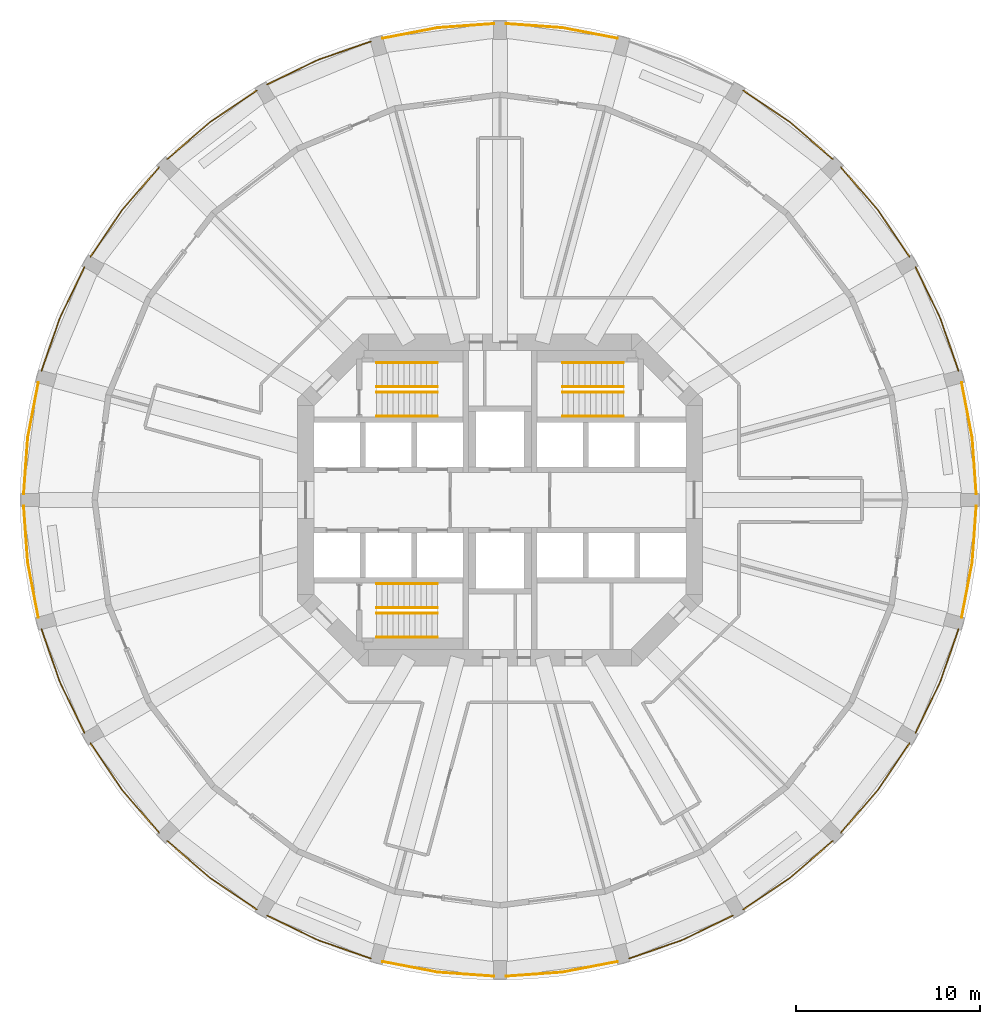
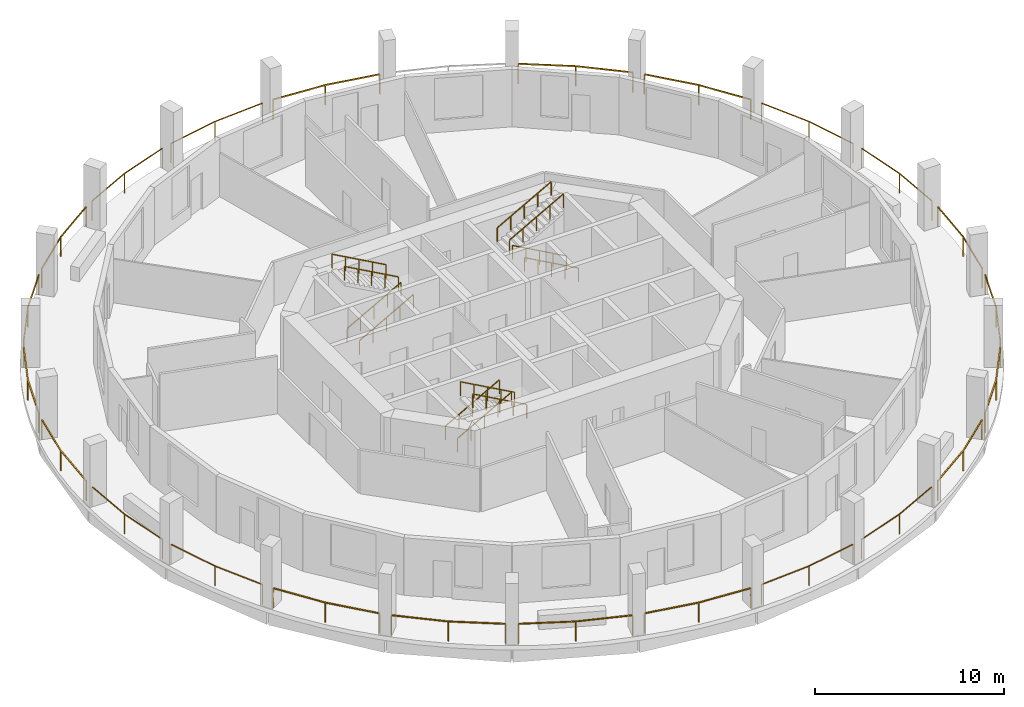
# One storey, part 7 of 8: 35 railings.
"""IFC4 building model written with IfcOpenShell, lengths in metres."""

from ifc_helpers import new_model, si_unit, direction, frame, origin, origin_2d, place, context, subcontext, project, spatial, rectangle, extrude, material, type_object, element, save


model = new_model("IFC4")

# Units and contexts
model_context = context("Model", 3, precision=1e-05, world=origin(), true_north=direction((0.0, 1.0)))
body_context = subcontext(model_context, "Body", "Model", "MODEL_VIEW")
ifc_project = project(units=[si_unit("LENGTHUNIT", "METRE"), si_unit("AREAUNIT", "SQUARE_METRE"), si_unit("VOLUMEUNIT", "CUBIC_METRE"), si_unit("PLANEANGLEUNIT", "RADIAN"), si_unit("MASSUNIT", "GRAM", prefix="KILO")], contexts=[model_context])

# Site, building, storey
site_placement = place(None, origin())
site = spatial("IfcSite", under=ifc_project, at=site_placement, CompositionType="ELEMENT")
building_placement = place(site_placement, origin())
building = spatial("IfcBuilding", under=site, at=building_placement, Name="Torre Triforio", CompositionType="ELEMENT")
storey_placement = place(building_placement, frame((0.0, 0.0, 86.60009765625)))
storey = spatial("IfcBuildingStorey", under=building, at=storey_placement, Name="L18", CompositionType="ELEMENT", Elevation=86.60009765625)

# Railings
ifc_material = material(Name="Stainless steel AISI 316", Category="steel")
railing_type_1 = type_object("IfcRailingType", Name="HANDRAIL 920", PredefinedType="HANDRAIL", material=ifc_material)
for number, where, name in (
    (1, (-6.699951171875, 4.550048828125, 0.16650390625), "Handrail ST1"),
    (2, (-6.699951171875, 5.85009765625, 0.16650390625), "Handrail ST1"),
):
    element("IfcRailing", number, at=place(storey_placement, frame(where)), inside=storey, type_object=railing_type_1, Name=name, PredefinedType="HANDRAIL", context=body_context, shape_type="SweptSolid", body=[
        extrude(rectangle(XDim=0.048095703125, YDim=0.048095703125, at=origin_2d()), frame((0.0, 0.0, 0.89599609375), z_axis=(0.874142023373, 0.0, 0.48567038511), x_axis=(0.0, 1.0, 0.0)), (0.0, 0.0, 1.0), 3.775146484375),
        extrude(rectangle(XDim=0.0419921875, YDim=0.0419921875, at=origin_2d()), origin(), (0.0, 0.0, 1.0), 0.871826171875),
        extrude(rectangle(XDim=0.0419921875, YDim=0.0419921875, at=origin_2d()), frame((0.824951171875, 0.0, 0.45849609375)), (0.0, 0.0, 1.0), 0.871826171875),
        extrude(rectangle(XDim=0.0419921875, YDim=0.0419921875, at=origin_2d()), frame((1.64990234375, 0.0, 0.916748046875)), (0.0, 0.0, 1.0), 0.871826171875),
        extrude(rectangle(XDim=0.0419921875, YDim=0.0419921875, at=origin_2d()), frame((2.47509765625, 0.0, 1.375)), (0.0, 0.0, 1.0), 0.871826171875),
        extrude(rectangle(XDim=0.0419921875, YDim=0.0419921875, at=origin_2d()), frame((3.300048828125, 0.0, 1.83349609375)), (0.0, 0.0, 1.0), 0.871826171875),
    ])
for number, where, name in (
    (3, (-3.39990234375, 7.449951171875, 2.16650390625), "Handrail ST1"),
    (4, (-3.39990234375, 6.14990234375, 2.16650390625), "Handrail ST1"),
    (5, (6.699951171875, 4.550048828125, 0.16650390625), "Handrail ST2"),
    (6, (6.699951171875, 5.85009765625, 0.16650390625), "Handrail ST2"),
):
    element("IfcRailing", number, at=place(storey_placement, frame(where)), inside=storey, type_object=railing_type_1, Name=name, PredefinedType="HANDRAIL", context=body_context, shape_type="SweptSolid", body=[
        extrude(rectangle(XDim=0.048095703125, YDim=0.048095703125, at=origin_2d()), frame((0.0, 0.0, 0.89599609375), z_axis=(-0.874142023373, 0.0, 0.48567038511), x_axis=(0.0, -1.0, 0.0)), (0.0, 0.0, 1.0), 3.775146484375),
        extrude(rectangle(XDim=0.0419921875, YDim=0.0419921875, at=origin_2d()), origin(), (0.0, 0.0, 1.0), 0.871826171875),
        extrude(rectangle(XDim=0.0419921875, YDim=0.0419921875, at=origin_2d()), frame((-0.824951171875, 0.0, 0.45849609375)), (0.0, 0.0, 1.0), 0.871826171875),
        extrude(rectangle(XDim=0.0419921875, YDim=0.0419921875, at=origin_2d()), frame((-1.64990234375, 0.0, 0.916748046875)), (0.0, 0.0, 1.0), 0.871826171875),
        extrude(rectangle(XDim=0.0419921875, YDim=0.0419921875, at=origin_2d()), frame((-2.47509765625, 0.0, 1.375)), (0.0, 0.0, 1.0), 0.871826171875),
        extrude(rectangle(XDim=0.0419921875, YDim=0.0419921875, at=origin_2d()), frame((-3.300048828125, 0.0, 1.83349609375)), (0.0, 0.0, 1.0), 0.871826171875),
    ])
for number, where, name in (
    (7, (3.39990234375, 7.449951171875, 2.16650390625), "Handrail ST2"),
    (8, (3.39990234375, 6.14990234375, 2.16650390625), "Handrail ST2"),
    (9, (-6.699951171875, -4.550048828125, 0.16650390625), "Handrail ST3"),
    (10, (-6.699951171875, -5.85009765625, 0.16650390625), "Handrail ST3"),
):
    element("IfcRailing", number, at=place(storey_placement, frame(where)), inside=storey, type_object=railing_type_1, Name=name, PredefinedType="HANDRAIL", context=body_context, shape_type="SweptSolid", body=[
        extrude(rectangle(XDim=0.048095703125, YDim=0.048095703125, at=origin_2d()), frame((0.0, 0.0, 0.89599609375), z_axis=(0.874142023373, 0.0, 0.48567038511), x_axis=(0.0, 1.0, 0.0)), (0.0, 0.0, 1.0), 3.775146484375),
        extrude(rectangle(XDim=0.0419921875, YDim=0.0419921875, at=origin_2d()), origin(), (0.0, 0.0, 1.0), 0.871826171875),
        extrude(rectangle(XDim=0.0419921875, YDim=0.0419921875, at=origin_2d()), frame((0.824951171875, 0.0, 0.45849609375)), (0.0, 0.0, 1.0), 0.871826171875),
        extrude(rectangle(XDim=0.0419921875, YDim=0.0419921875, at=origin_2d()), frame((1.64990234375, 0.0, 0.916748046875)), (0.0, 0.0, 1.0), 0.871826171875),
        extrude(rectangle(XDim=0.0419921875, YDim=0.0419921875, at=origin_2d()), frame((2.47509765625, 0.0, 1.375)), (0.0, 0.0, 1.0), 0.871826171875),
        extrude(rectangle(XDim=0.0419921875, YDim=0.0419921875, at=origin_2d()), frame((3.300048828125, 0.0, 1.83349609375)), (0.0, 0.0, 1.0), 0.871826171875),
    ])
for number, where, name in (
    (11, (-3.39990234375, -7.449951171875, 2.16650390625), "Handrail ST3"),
    (12, (-3.39990234375, -6.14990234375, 2.16650390625), "Handrail ST3"),
):
    element("IfcRailing", number, at=place(storey_placement, frame(where)), inside=storey, type_object=railing_type_1, Name=name, PredefinedType="HANDRAIL", context=body_context, shape_type="SweptSolid", body=[
        extrude(rectangle(XDim=0.048095703125, YDim=0.048095703125, at=origin_2d()), frame((0.0, 0.0, 0.89599609375), z_axis=(-0.874142023373, 0.0, 0.48567038511), x_axis=(0.0, -1.0, 0.0)), (0.0, 0.0, 1.0), 3.775146484375),
        extrude(rectangle(XDim=0.0419921875, YDim=0.0419921875, at=origin_2d()), origin(), (0.0, 0.0, 1.0), 0.871826171875),
        extrude(rectangle(XDim=0.0419921875, YDim=0.0419921875, at=origin_2d()), frame((-0.824951171875, 0.0, 0.45849609375)), (0.0, 0.0, 1.0), 0.871826171875),
        extrude(rectangle(XDim=0.0419921875, YDim=0.0419921875, at=origin_2d()), frame((-1.64990234375, 0.0, 0.916748046875)), (0.0, 0.0, 1.0), 0.871826171875),
        extrude(rectangle(XDim=0.0419921875, YDim=0.0419921875, at=origin_2d()), frame((-2.47509765625, 0.0, 1.375)), (0.0, 0.0, 1.0), 0.871826171875),
        extrude(rectangle(XDim=0.0419921875, YDim=0.0419921875, at=origin_2d()), frame((-3.300048828125, 0.0, 1.83349609375)), (0.0, 0.0, 1.0), 0.871826171875),
    ])
railing_type_2 = type_object("IfcRailingType", Name="Loggia guard 1300", PredefinedType="GUARDRAIL", material=ifc_material)
railing_1_placement = place(storey_placement, frame((25.85009765625, 0.320068359375, 0.0)))
element("IfcRailing", 13, at=railing_1_placement, inside=storey, type_object=railing_type_2, Name="Loggia guard L18 bay 01", PredefinedType="GUARDRAIL", context=body_context, shape_type="SweptSolid", body=[
    extrude(rectangle(XDim=0.050048828125, YDim=0.050048828125, at=origin_2d()), frame((0.0, 0.0, 1.27490234375), z_axis=(-0.072238625319, 0.997387377608, 0.0), x_axis=(-0.997387377608, -0.072238625319, 0.0)), (0.0, 0.0, 1.0), 3.06201171875),
    extrude(rectangle(XDim=0.050048828125, YDim=0.050048828125, at=origin_2d()), frame((-0.22119140625, 3.053955078125, 1.27490234375), z_axis=(-0.188397892972, 0.982092782747, 0.0), x_axis=(-0.982092782747, -0.188397892972, 0.0)), (0.0, 0.0, 1.0), 3.062255859375),
    extrude(rectangle(XDim=0.0400390625, YDim=0.0400390625, at=origin_2d()), origin(), (0.0, 0.0, 1.0), 1.25),
    extrude(rectangle(XDim=0.0400390625, YDim=0.0400390625, at=origin_2d()), frame((-0.22119140625, 3.053955078125, 0.0)), (0.0, 0.0, 1.0), 1.25),
    extrude(rectangle(XDim=0.0400390625, YDim=0.0400390625, at=origin_2d()), frame((-0.798095703125, 6.061279296875, 0.0)), (0.0, 0.0, 1.0), 1.25),
])
railing_2_placement = place(storey_placement, frame((24.886474609375, 6.99951171875, 0.0)))
element("IfcRailing", 14, at=railing_2_placement, inside=storey, type_object=railing_type_2, Name="Loggia guard L18 bay 02", PredefinedType="GUARDRAIL", context=body_context, shape_type="SweptSolid", body=[
    extrude(rectangle(XDim=0.050048828125, YDim=0.050048828125, at=origin_2d()), frame((0.0, 0.0, 1.27490234375), z_axis=(-0.327923737665, 0.944704198295, 0.0), x_axis=(-0.944704198295, -0.327923737665, 0.0)), (0.0, 0.0, 1.0), 3.062255859375),
    extrude(rectangle(XDim=0.050048828125, YDim=0.050048828125, at=origin_2d()), frame((-1.004150390625, 2.892822265625, 1.27490234375), z_axis=(-0.436113094806, 0.899891864914, 0.0), x_axis=(-0.899891864914, -0.436113094806, 0.0)), (0.0, 0.0, 1.0), 3.062255859375),
    extrude(rectangle(XDim=0.0400390625, YDim=0.0400390625, at=origin_2d()), origin(), (0.0, 0.0, 1.0), 1.25),
    extrude(rectangle(XDim=0.0400390625, YDim=0.0400390625, at=origin_2d()), frame((-1.004150390625, 2.892822265625, 0.0)), (0.0, 0.0, 1.0), 1.25),
    extrude(rectangle(XDim=0.0400390625, YDim=0.0400390625, at=origin_2d()), frame((-2.339599609375, 5.6484375, 0.0)), (0.0, 0.0, 1.0), 1.25),
])
railing_3_placement = place(storey_placement, frame((22.226806640625, 13.2021484375, 0.0)))
element("IfcRailing", 15, at=railing_3_placement, inside=storey, type_object=railing_type_2, Name="Loggia guard L18 bay 03", PredefinedType="GUARDRAIL", context=body_context, shape_type="SweptSolid", body=[
    extrude(rectangle(XDim=0.050048828125, YDim=0.050048828125, at=origin_2d()), frame((0.0, 0.0, 1.27490234375), z_axis=(-0.561214776852, 0.827670208624, 0.0), x_axis=(-0.827670208624, -0.561214776852, 0.0)), (0.0, 0.0, 1.0), 3.06201171875),
    extrude(rectangle(XDim=0.050048828125, YDim=0.050048828125, at=origin_2d()), frame((-1.718505859375, 2.534423828125, 1.27490234375), z_axis=(-0.654238218872, 0.75628853817, 0.0), x_axis=(-0.75628853817, -0.654238218872, 0.0)), (0.0, 0.0, 1.0), 3.062255859375),
    extrude(rectangle(XDim=0.0400390625, YDim=0.0400390625, at=origin_2d()), origin(), (0.0, 0.0, 1.0), 1.25),
    extrude(rectangle(XDim=0.0400390625, YDim=0.0400390625, at=origin_2d()), frame((-1.718505859375, 2.534423828125, 0.0)), (0.0, 0.0, 1.0), 1.25),
    extrude(rectangle(XDim=0.0400390625, YDim=0.0400390625, at=origin_2d()), frame((-3.721923828125, 4.850341796875, 0.0)), (0.0, 0.0, 1.0), 1.25),
])
railing_4_placement = place(storey_placement, frame((18.052490234375, 18.5048828125, 0.0)))
element("IfcRailing", 16, at=railing_4_placement, inside=storey, type_object=railing_type_2, Name="Loggia guard L18 bay 04", PredefinedType="GUARDRAIL", context=body_context, shape_type="SweptSolid", body=[
    extrude(rectangle(XDim=0.050048828125, YDim=0.050048828125, at=origin_2d()), frame((0.0, 0.0, 1.27490234375), z_axis=(-0.75628853817, 0.654238218872, 0.0), x_axis=(-0.654238218872, -0.75628853817, 0.0)), (0.0, 0.0, 1.0), 3.062255859375),
    extrude(rectangle(XDim=0.050048828125, YDim=0.050048828125, at=origin_2d()), frame((-2.31591796875, 2.00341796875, 1.27490234375), z_axis=(-0.827670208624, 0.561214776852, 0.0), x_axis=(-0.561214776852, -0.827670208624, 0.0)), (0.0, 0.0, 1.0), 3.06201171875),
    extrude(rectangle(XDim=0.0400390625, YDim=0.0400390625, at=origin_2d()), origin(), (0.0, 0.0, 1.0), 1.25),
    extrude(rectangle(XDim=0.0400390625, YDim=0.0400390625, at=origin_2d()), frame((-2.31591796875, 2.00341796875, 0.0)), (0.0, 0.0, 1.0), 1.25),
    extrude(rectangle(XDim=0.0400390625, YDim=0.0400390625, at=origin_2d()), frame((-4.850341796875, 3.721923828125, 0.0)), (0.0, 0.0, 1.0), 1.25),
])
railing_5_placement = place(storey_placement, frame((6.38134765625, 25.052001953125, 0.0)))
element("IfcRailing", 17, at=railing_5_placement, inside=storey, type_object=railing_type_2, Name="Loggia guard L18 bay 06", PredefinedType="GUARDRAIL", context=body_context, shape_type="SweptSolid", body=[
    extrude(rectangle(XDim=0.050048828125, YDim=0.050048828125, at=origin_2d()), frame((0.0, 0.0, 1.27490234375), z_axis=(-0.982092782747, 0.188397892972, 0.0), x_axis=(-0.188397892972, -0.982092782747, 0.0)), (0.0, 0.0, 1.0), 3.062255859375),
    extrude(rectangle(XDim=0.050048828125, YDim=0.050048828125, at=origin_2d()), frame((-3.00732421875, 0.576904296875, 1.27490234375), z_axis=(-0.997387377608, 0.072238625319, 0.0), x_axis=(-0.072238625319, -0.997387377608, 0.0)), (0.0, 0.0, 1.0), 3.06201171875),
    extrude(rectangle(XDim=0.0400390625, YDim=0.0400390625, at=origin_2d()), origin(), (0.0, 0.0, 1.0), 1.25),
    extrude(rectangle(XDim=0.0400390625, YDim=0.0400390625, at=origin_2d()), frame((-3.00732421875, 0.576904296875, 0.0)), (0.0, 0.0, 1.0), 1.25),
    extrude(rectangle(XDim=0.0400390625, YDim=0.0400390625, at=origin_2d()), frame((-6.061279296875, 0.798095703125, 0.0)), (0.0, 0.0, 1.0), 1.25),
])
railing_6_placement = place(storey_placement, frame((-0.320068359375, 25.85009765625, 0.0)))
element("IfcRailing", 18, at=railing_6_placement, inside=storey, type_object=railing_type_2, Name="Loggia guard L18 bay 07", PredefinedType="GUARDRAIL", context=body_context, shape_type="SweptSolid", body=[
    extrude(rectangle(XDim=0.050048828125, YDim=0.050048828125, at=origin_2d()), frame((0.0, 0.0, 1.27490234375), z_axis=(-0.997387377608, -0.072238625319, 0.0), x_axis=(0.072238625319, -0.997387377608, 0.0)), (0.0, 0.0, 1.0), 3.06201171875),
    extrude(rectangle(XDim=0.050048828125, YDim=0.050048828125, at=origin_2d()), frame((-3.053955078125, -0.22119140625, 1.27490234375), z_axis=(-0.982092782747, -0.188397892972, 0.0), x_axis=(0.188397892972, -0.982092782747, 0.0)), (0.0, 0.0, 1.0), 3.062255859375),
    extrude(rectangle(XDim=0.0400390625, YDim=0.0400390625, at=origin_2d()), origin(), (0.0, 0.0, 1.0), 1.25),
    extrude(rectangle(XDim=0.0400390625, YDim=0.0400390625, at=origin_2d()), frame((-3.053955078125, -0.22119140625, 0.0)), (0.0, 0.0, 1.0), 1.25),
    extrude(rectangle(XDim=0.0400390625, YDim=0.0400390625, at=origin_2d()), frame((-6.061279296875, -0.798095703125, 0.0)), (0.0, 0.0, 1.0), 1.25),
])
railing_7_placement = place(storey_placement, frame((-6.99951171875, 24.886474609375, 0.0)))
element("IfcRailing", 19, at=railing_7_placement, inside=storey, type_object=railing_type_2, Name="Loggia guard L18 bay 08", PredefinedType="GUARDRAIL", context=body_context, shape_type="SweptSolid", body=[
    extrude(rectangle(XDim=0.050048828125, YDim=0.050048828125, at=origin_2d()), frame((0.0, 0.0, 1.27490234375), z_axis=(-0.944704198295, -0.327923737665, 0.0), x_axis=(0.327923737665, -0.944704198295, 0.0)), (0.0, 0.0, 1.0), 3.062255859375),
    extrude(rectangle(XDim=0.050048828125, YDim=0.050048828125, at=origin_2d()), frame((-2.892822265625, -1.004150390625, 1.27490234375), z_axis=(-0.899891864914, -0.436113094806, 0.0), x_axis=(0.436113094806, -0.899891864914, 0.0)), (0.0, 0.0, 1.0), 3.062255859375),
    extrude(rectangle(XDim=0.0400390625, YDim=0.0400390625, at=origin_2d()), origin(), (0.0, 0.0, 1.0), 1.25),
    extrude(rectangle(XDim=0.0400390625, YDim=0.0400390625, at=origin_2d()), frame((-2.892822265625, -1.004150390625, 0.0)), (0.0, 0.0, 1.0), 1.25),
    extrude(rectangle(XDim=0.0400390625, YDim=0.0400390625, at=origin_2d()), frame((-5.6484375, -2.339599609375, 0.0)), (0.0, 0.0, 1.0), 1.25),
])
railing_8_placement = place(storey_placement, frame((-13.2021484375, 22.226806640625, 0.0)))
element("IfcRailing", 20, at=railing_8_placement, inside=storey, type_object=railing_type_2, Name="Loggia guard L18 bay 09", PredefinedType="GUARDRAIL", context=body_context, shape_type="SweptSolid", body=[
    extrude(rectangle(XDim=0.050048828125, YDim=0.050048828125, at=origin_2d()), frame((0.0, 0.0, 1.27490234375), z_axis=(-0.827670208624, -0.561214776852, 0.0), x_axis=(0.561214776852, -0.827670208624, 0.0)), (0.0, 0.0, 1.0), 3.06201171875),
    extrude(rectangle(XDim=0.050048828125, YDim=0.050048828125, at=origin_2d()), frame((-2.534423828125, -1.718505859375, 1.27490234375), z_axis=(-0.75628853817, -0.654238218872, 0.0), x_axis=(0.654238218872, -0.75628853817, 0.0)), (0.0, 0.0, 1.0), 3.062255859375),
    extrude(rectangle(XDim=0.0400390625, YDim=0.0400390625, at=origin_2d()), origin(), (0.0, 0.0, 1.0), 1.25),
    extrude(rectangle(XDim=0.0400390625, YDim=0.0400390625, at=origin_2d()), frame((-2.534423828125, -1.718505859375, 0.0)), (0.0, 0.0, 1.0), 1.25),
    extrude(rectangle(XDim=0.0400390625, YDim=0.0400390625, at=origin_2d()), frame((-4.850341796875, -3.721923828125, 0.0)), (0.0, 0.0, 1.0), 1.25),
])
railing_9_placement = place(storey_placement, frame((-18.5048828125, 18.052490234375, 0.0)))
element("IfcRailing", 21, at=railing_9_placement, inside=storey, type_object=railing_type_2, Name="Loggia guard L18 bay 10", PredefinedType="GUARDRAIL", context=body_context, shape_type="SweptSolid", body=[
    extrude(rectangle(XDim=0.050048828125, YDim=0.050048828125, at=origin_2d()), frame((0.0, 0.0, 1.27490234375), z_axis=(-0.654238218872, -0.75628853817, 0.0), x_axis=(0.75628853817, -0.654238218872, 0.0)), (0.0, 0.0, 1.0), 3.062255859375),
    extrude(rectangle(XDim=0.050048828125, YDim=0.050048828125, at=origin_2d()), frame((-2.00341796875, -2.31591796875, 1.27490234375), z_axis=(-0.561214776852, -0.827670208624, 0.0), x_axis=(0.827670208624, -0.561214776852, 0.0)), (0.0, 0.0, 1.0), 3.06201171875),
    extrude(rectangle(XDim=0.0400390625, YDim=0.0400390625, at=origin_2d()), origin(), (0.0, 0.0, 1.0), 1.25),
    extrude(rectangle(XDim=0.0400390625, YDim=0.0400390625, at=origin_2d()), frame((-2.00341796875, -2.31591796875, 0.0)), (0.0, 0.0, 1.0), 1.25),
    extrude(rectangle(XDim=0.0400390625, YDim=0.0400390625, at=origin_2d()), frame((-3.721923828125, -4.850341796875, 0.0)), (0.0, 0.0, 1.0), 1.25),
])
railing_10_placement = place(storey_placement, frame((-22.546875, 12.64794921875, 0.0)))
element("IfcRailing", 22, at=railing_10_placement, inside=storey, type_object=railing_type_2, Name="Loggia guard L18 bay 11", PredefinedType="GUARDRAIL", context=body_context, shape_type="SweptSolid", body=[
    extrude(rectangle(XDim=0.050048828125, YDim=0.050048828125, at=origin_2d()), frame((0.0, 0.0, 1.27490234375), z_axis=(-0.436113094806, -0.899891864914, 0.0), x_axis=(0.899891864914, -0.436113094806, 0.0)), (0.0, 0.0, 1.0), 3.062255859375),
    extrude(rectangle(XDim=0.050048828125, YDim=0.050048828125, at=origin_2d()), frame((-1.33544921875, -2.755615234375, 1.27490234375), z_axis=(-0.327923737665, -0.944704198295, 0.0), x_axis=(0.944704198295, -0.327923737665, 0.0)), (0.0, 0.0, 1.0), 3.062255859375),
    extrude(rectangle(XDim=0.0400390625, YDim=0.0400390625, at=origin_2d()), origin(), (0.0, 0.0, 1.0), 1.25),
    extrude(rectangle(XDim=0.0400390625, YDim=0.0400390625, at=origin_2d()), frame((-1.33544921875, -2.755615234375, 0.0)), (0.0, 0.0, 1.0), 1.25),
    extrude(rectangle(XDim=0.0400390625, YDim=0.0400390625, at=origin_2d()), frame((-2.339599609375, -5.6484375, 0.0)), (0.0, 0.0, 1.0), 1.25),
])
railing_11_placement = place(storey_placement, frame((-25.052001953125, 6.38134765625, 0.0)))
element("IfcRailing", 23, at=railing_11_placement, inside=storey, type_object=railing_type_2, Name="Loggia guard L18 bay 12", PredefinedType="GUARDRAIL", context=body_context, shape_type="SweptSolid", body=[
    extrude(rectangle(XDim=0.050048828125, YDim=0.050048828125, at=origin_2d()), frame((0.0, 0.0, 1.27490234375), z_axis=(-0.188397892972, -0.982092782747, 0.0), x_axis=(0.982092782747, -0.188397892972, 0.0)), (0.0, 0.0, 1.0), 3.062255859375),
    extrude(rectangle(XDim=0.050048828125, YDim=0.050048828125, at=origin_2d()), frame((-0.576904296875, -3.00732421875, 1.27490234375), z_axis=(-0.072238625319, -0.997387377608, 0.0), x_axis=(0.997387377608, -0.072238625319, 0.0)), (0.0, 0.0, 1.0), 3.06201171875),
    extrude(rectangle(XDim=0.0400390625, YDim=0.0400390625, at=origin_2d()), origin(), (0.0, 0.0, 1.0), 1.25),
    extrude(rectangle(XDim=0.0400390625, YDim=0.0400390625, at=origin_2d()), frame((-0.576904296875, -3.00732421875, 0.0)), (0.0, 0.0, 1.0), 1.25),
    extrude(rectangle(XDim=0.0400390625, YDim=0.0400390625, at=origin_2d()), frame((-0.798095703125, -6.061279296875, 0.0)), (0.0, 0.0, 1.0), 1.25),
])
railing_12_placement = place(storey_placement, frame((-25.85009765625, -0.320068359375, 0.0)))
element("IfcRailing", 24, at=railing_12_placement, inside=storey, type_object=railing_type_2, Name="Loggia guard L18 bay 13", PredefinedType="GUARDRAIL", context=body_context, shape_type="SweptSolid", body=[
    extrude(rectangle(XDim=0.050048828125, YDim=0.050048828125, at=origin_2d()), frame((0.0, 0.0, 1.27490234375), z_axis=(0.072238625319, -0.997387377608, 0.0), x_axis=(0.997387377608, 0.072238625319, 0.0)), (0.0, 0.0, 1.0), 3.06201171875),
    extrude(rectangle(XDim=0.050048828125, YDim=0.050048828125, at=origin_2d()), frame((0.22119140625, -3.053955078125, 1.27490234375), z_axis=(0.188397892972, -0.982092782747, 0.0), x_axis=(0.982092782747, 0.188397892972, 0.0)), (0.0, 0.0, 1.0), 3.062255859375),
    extrude(rectangle(XDim=0.0400390625, YDim=0.0400390625, at=origin_2d()), origin(), (0.0, 0.0, 1.0), 1.25),
    extrude(rectangle(XDim=0.0400390625, YDim=0.0400390625, at=origin_2d()), frame((0.22119140625, -3.053955078125, 0.0)), (0.0, 0.0, 1.0), 1.25),
    extrude(rectangle(XDim=0.0400390625, YDim=0.0400390625, at=origin_2d()), frame((0.798095703125, -6.061279296875, 0.0)), (0.0, 0.0, 1.0), 1.25),
])
railing_13_placement = place(storey_placement, frame((-24.886474609375, -6.99951171875, 0.0)))
element("IfcRailing", 25, at=railing_13_placement, inside=storey, type_object=railing_type_2, Name="Loggia guard L18 bay 14", PredefinedType="GUARDRAIL", context=body_context, shape_type="SweptSolid", body=[
    extrude(rectangle(XDim=0.050048828125, YDim=0.050048828125, at=origin_2d()), frame((0.0, 0.0, 1.27490234375), z_axis=(0.327923737665, -0.944704198295, 0.0), x_axis=(0.944704198295, 0.327923737665, 0.0)), (0.0, 0.0, 1.0), 3.062255859375),
    extrude(rectangle(XDim=0.050048828125, YDim=0.050048828125, at=origin_2d()), frame((1.004150390625, -2.892822265625, 1.27490234375), z_axis=(0.436113094806, -0.899891864914, 0.0), x_axis=(0.899891864914, 0.436113094806, 0.0)), (0.0, 0.0, 1.0), 3.062255859375),
    extrude(rectangle(XDim=0.0400390625, YDim=0.0400390625, at=origin_2d()), origin(), (0.0, 0.0, 1.0), 1.25),
    extrude(rectangle(XDim=0.0400390625, YDim=0.0400390625, at=origin_2d()), frame((1.004150390625, -2.892822265625, 0.0)), (0.0, 0.0, 1.0), 1.25),
    extrude(rectangle(XDim=0.0400390625, YDim=0.0400390625, at=origin_2d()), frame((2.339599609375, -5.6484375, 0.0)), (0.0, 0.0, 1.0), 1.25),
])
railing_14_placement = place(storey_placement, frame((-22.226806640625, -13.2021484375, 0.0)))
element("IfcRailing", 26, at=railing_14_placement, inside=storey, type_object=railing_type_2, Name="Loggia guard L18 bay 15", PredefinedType="GUARDRAIL", context=body_context, shape_type="SweptSolid", body=[
    extrude(rectangle(XDim=0.050048828125, YDim=0.050048828125, at=origin_2d()), frame((0.0, 0.0, 1.27490234375), z_axis=(0.561214776852, -0.827670208624, 0.0), x_axis=(0.827670208624, 0.561214776852, 0.0)), (0.0, 0.0, 1.0), 3.06201171875),
    extrude(rectangle(XDim=0.050048828125, YDim=0.050048828125, at=origin_2d()), frame((1.718505859375, -2.534423828125, 1.27490234375), z_axis=(0.654238218872, -0.75628853817, 0.0), x_axis=(0.75628853817, 0.654238218872, 0.0)), (0.0, 0.0, 1.0), 3.062255859375),
    extrude(rectangle(XDim=0.0400390625, YDim=0.0400390625, at=origin_2d()), origin(), (0.0, 0.0, 1.0), 1.25),
    extrude(rectangle(XDim=0.0400390625, YDim=0.0400390625, at=origin_2d()), frame((1.718505859375, -2.534423828125, 0.0)), (0.0, 0.0, 1.0), 1.25),
    extrude(rectangle(XDim=0.0400390625, YDim=0.0400390625, at=origin_2d()), frame((3.721923828125, -4.850341796875, 0.0)), (0.0, 0.0, 1.0), 1.25),
])
railing_15_placement = place(storey_placement, frame((-18.052490234375, -18.5048828125, 0.0)))
element("IfcRailing", 27, at=railing_15_placement, inside=storey, type_object=railing_type_2, Name="Loggia guard L18 bay 16", PredefinedType="GUARDRAIL", context=body_context, shape_type="SweptSolid", body=[
    extrude(rectangle(XDim=0.050048828125, YDim=0.050048828125, at=origin_2d()), frame((0.0, 0.0, 1.27490234375), z_axis=(0.75628853817, -0.654238218872, 0.0), x_axis=(0.654238218872, 0.75628853817, 0.0)), (0.0, 0.0, 1.0), 3.062255859375),
    extrude(rectangle(XDim=0.050048828125, YDim=0.050048828125, at=origin_2d()), frame((2.31591796875, -2.00341796875, 1.27490234375), z_axis=(0.827670208624, -0.561214776852, 0.0), x_axis=(0.561214776852, 0.827670208624, 0.0)), (0.0, 0.0, 1.0), 3.06201171875),
    extrude(rectangle(XDim=0.0400390625, YDim=0.0400390625, at=origin_2d()), origin(), (0.0, 0.0, 1.0), 1.25),
    extrude(rectangle(XDim=0.0400390625, YDim=0.0400390625, at=origin_2d()), frame((2.31591796875, -2.00341796875, 0.0)), (0.0, 0.0, 1.0), 1.25),
    extrude(rectangle(XDim=0.0400390625, YDim=0.0400390625, at=origin_2d()), frame((4.850341796875, -3.721923828125, 0.0)), (0.0, 0.0, 1.0), 1.25),
])
railing_16_placement = place(storey_placement, frame((-12.64794921875, -22.546875, 0.0)))
element("IfcRailing", 28, at=railing_16_placement, inside=storey, type_object=railing_type_2, Name="Loggia guard L18 bay 17", PredefinedType="GUARDRAIL", context=body_context, shape_type="SweptSolid", body=[
    extrude(rectangle(XDim=0.050048828125, YDim=0.050048828125, at=origin_2d()), frame((0.0, 0.0, 1.27490234375), z_axis=(0.899891864914, -0.436113094806, 0.0), x_axis=(0.436113094806, 0.899891864914, 0.0)), (0.0, 0.0, 1.0), 3.062255859375),
    extrude(rectangle(XDim=0.050048828125, YDim=0.050048828125, at=origin_2d()), frame((2.755615234375, -1.33544921875, 1.27490234375), z_axis=(0.944704198295, -0.327923737665, 0.0), x_axis=(0.327923737665, 0.944704198295, 0.0)), (0.0, 0.0, 1.0), 3.062255859375),
    extrude(rectangle(XDim=0.0400390625, YDim=0.0400390625, at=origin_2d()), origin(), (0.0, 0.0, 1.0), 1.25),
    extrude(rectangle(XDim=0.0400390625, YDim=0.0400390625, at=origin_2d()), frame((2.755615234375, -1.33544921875, 0.0)), (0.0, 0.0, 1.0), 1.25),
    extrude(rectangle(XDim=0.0400390625, YDim=0.0400390625, at=origin_2d()), frame((5.6484375, -2.339599609375, 0.0)), (0.0, 0.0, 1.0), 1.25),
])
railing_17_placement = place(storey_placement, frame((-6.38134765625, -25.052001953125, 0.0)))
element("IfcRailing", 29, at=railing_17_placement, inside=storey, type_object=railing_type_2, Name="Loggia guard L18 bay 18", PredefinedType="GUARDRAIL", context=body_context, shape_type="SweptSolid", body=[
    extrude(rectangle(XDim=0.050048828125, YDim=0.050048828125, at=origin_2d()), frame((0.0, 0.0, 1.27490234375), z_axis=(0.982092782747, -0.188397892972, 0.0), x_axis=(0.188397892972, 0.982092782747, 0.0)), (0.0, 0.0, 1.0), 3.062255859375),
    extrude(rectangle(XDim=0.050048828125, YDim=0.050048828125, at=origin_2d()), frame((3.00732421875, -0.576904296875, 1.27490234375), z_axis=(0.997387377608, -0.072238625319, 0.0), x_axis=(0.072238625319, 0.997387377608, 0.0)), (0.0, 0.0, 1.0), 3.06201171875),
    extrude(rectangle(XDim=0.0400390625, YDim=0.0400390625, at=origin_2d()), origin(), (0.0, 0.0, 1.0), 1.25),
    extrude(rectangle(XDim=0.0400390625, YDim=0.0400390625, at=origin_2d()), frame((3.00732421875, -0.576904296875, 0.0)), (0.0, 0.0, 1.0), 1.25),
    extrude(rectangle(XDim=0.0400390625, YDim=0.0400390625, at=origin_2d()), frame((6.061279296875, -0.798095703125, 0.0)), (0.0, 0.0, 1.0), 1.25),
])
railing_18_placement = place(storey_placement, frame((0.320068359375, -25.85009765625, 0.0)))
element("IfcRailing", 30, at=railing_18_placement, inside=storey, type_object=railing_type_2, Name="Loggia guard L18 bay 19", PredefinedType="GUARDRAIL", context=body_context, shape_type="SweptSolid", body=[
    extrude(rectangle(XDim=0.050048828125, YDim=0.050048828125, at=origin_2d()), frame((0.0, 0.0, 1.27490234375), z_axis=(0.997387377608, 0.072238625319, 0.0), x_axis=(-0.072238625319, 0.997387377608, 0.0)), (0.0, 0.0, 1.0), 3.06201171875),
    extrude(rectangle(XDim=0.050048828125, YDim=0.050048828125, at=origin_2d()), frame((3.053955078125, 0.22119140625, 1.27490234375), z_axis=(0.982092782747, 0.188397892972, 0.0), x_axis=(-0.188397892972, 0.982092782747, 0.0)), (0.0, 0.0, 1.0), 3.062255859375),
    extrude(rectangle(XDim=0.0400390625, YDim=0.0400390625, at=origin_2d()), origin(), (0.0, 0.0, 1.0), 1.25),
    extrude(rectangle(XDim=0.0400390625, YDim=0.0400390625, at=origin_2d()), frame((3.053955078125, 0.22119140625, 0.0)), (0.0, 0.0, 1.0), 1.25),
    extrude(rectangle(XDim=0.0400390625, YDim=0.0400390625, at=origin_2d()), frame((6.061279296875, 0.798095703125, 0.0)), (0.0, 0.0, 1.0), 1.25),
])
railing_19_placement = place(storey_placement, frame((6.99951171875, -24.886474609375, 0.0)))
element("IfcRailing", 31, at=railing_19_placement, inside=storey, type_object=railing_type_2, Name="Loggia guard L18 bay 20", PredefinedType="GUARDRAIL", context=body_context, shape_type="SweptSolid", body=[
    extrude(rectangle(XDim=0.050048828125, YDim=0.050048828125, at=origin_2d()), frame((0.0, 0.0, 1.27490234375), z_axis=(0.944704198295, 0.327923737665, 0.0), x_axis=(-0.327923737665, 0.944704198295, 0.0)), (0.0, 0.0, 1.0), 3.062255859375),
    extrude(rectangle(XDim=0.050048828125, YDim=0.050048828125, at=origin_2d()), frame((2.892822265625, 1.004150390625, 1.27490234375), z_axis=(0.899891864914, 0.436113094806, 0.0), x_axis=(-0.436113094806, 0.899891864914, 0.0)), (0.0, 0.0, 1.0), 3.062255859375),
    extrude(rectangle(XDim=0.0400390625, YDim=0.0400390625, at=origin_2d()), origin(), (0.0, 0.0, 1.0), 1.25),
    extrude(rectangle(XDim=0.0400390625, YDim=0.0400390625, at=origin_2d()), frame((2.892822265625, 1.004150390625, 0.0)), (0.0, 0.0, 1.0), 1.25),
    extrude(rectangle(XDim=0.0400390625, YDim=0.0400390625, at=origin_2d()), frame((5.6484375, 2.339599609375, 0.0)), (0.0, 0.0, 1.0), 1.25),
])
railing_20_placement = place(storey_placement, frame((13.2021484375, -22.226806640625, 0.0)))
element("IfcRailing", 32, at=railing_20_placement, inside=storey, type_object=railing_type_2, Name="Loggia guard L18 bay 21", PredefinedType="GUARDRAIL", context=body_context, shape_type="SweptSolid", body=[
    extrude(rectangle(XDim=0.050048828125, YDim=0.050048828125, at=origin_2d()), frame((0.0, 0.0, 1.27490234375), z_axis=(0.827670208624, 0.561214776852, 0.0), x_axis=(-0.561214776852, 0.827670208624, 0.0)), (0.0, 0.0, 1.0), 3.06201171875),
    extrude(rectangle(XDim=0.050048828125, YDim=0.050048828125, at=origin_2d()), frame((2.534423828125, 1.718505859375, 1.27490234375), z_axis=(0.75628853817, 0.654238218872, 0.0), x_axis=(-0.654238218872, 0.75628853817, 0.0)), (0.0, 0.0, 1.0), 3.062255859375),
    extrude(rectangle(XDim=0.0400390625, YDim=0.0400390625, at=origin_2d()), origin(), (0.0, 0.0, 1.0), 1.25),
    extrude(rectangle(XDim=0.0400390625, YDim=0.0400390625, at=origin_2d()), frame((2.534423828125, 1.718505859375, 0.0)), (0.0, 0.0, 1.0), 1.25),
    extrude(rectangle(XDim=0.0400390625, YDim=0.0400390625, at=origin_2d()), frame((4.850341796875, 3.721923828125, 0.0)), (0.0, 0.0, 1.0), 1.25),
])
railing_21_placement = place(storey_placement, frame((18.5048828125, -18.052490234375, 0.0)))
element("IfcRailing", 33, at=railing_21_placement, inside=storey, type_object=railing_type_2, Name="Loggia guard L18 bay 22", PredefinedType="GUARDRAIL", context=body_context, shape_type="SweptSolid", body=[
    extrude(rectangle(XDim=0.050048828125, YDim=0.050048828125, at=origin_2d()), frame((0.0, 0.0, 1.27490234375), z_axis=(0.654238218872, 0.75628853817, 0.0), x_axis=(-0.75628853817, 0.654238218872, 0.0)), (0.0, 0.0, 1.0), 3.062255859375),
    extrude(rectangle(XDim=0.050048828125, YDim=0.050048828125, at=origin_2d()), frame((2.00341796875, 2.31591796875, 1.27490234375), z_axis=(0.561214776852, 0.827670208624, 0.0), x_axis=(-0.827670208624, 0.561214776852, 0.0)), (0.0, 0.0, 1.0), 3.06201171875),
    extrude(rectangle(XDim=0.0400390625, YDim=0.0400390625, at=origin_2d()), origin(), (0.0, 0.0, 1.0), 1.25),
    extrude(rectangle(XDim=0.0400390625, YDim=0.0400390625, at=origin_2d()), frame((2.00341796875, 2.31591796875, 0.0)), (0.0, 0.0, 1.0), 1.25),
    extrude(rectangle(XDim=0.0400390625, YDim=0.0400390625, at=origin_2d()), frame((3.721923828125, 4.850341796875, 0.0)), (0.0, 0.0, 1.0), 1.25),
])
railing_22_placement = place(storey_placement, frame((22.546875, -12.64794921875, 0.0)))
element("IfcRailing", 34, at=railing_22_placement, inside=storey, type_object=railing_type_2, Name="Loggia guard L18 bay 23", PredefinedType="GUARDRAIL", context=body_context, shape_type="SweptSolid", body=[
    extrude(rectangle(XDim=0.050048828125, YDim=0.050048828125, at=origin_2d()), frame((0.0, 0.0, 1.27490234375), z_axis=(0.436113094806, 0.899891864914, 0.0), x_axis=(-0.899891864914, 0.436113094806, 0.0)), (0.0, 0.0, 1.0), 3.062255859375),
    extrude(rectangle(XDim=0.050048828125, YDim=0.050048828125, at=origin_2d()), frame((1.33544921875, 2.755615234375, 1.27490234375), z_axis=(0.327923737665, 0.944704198295, 0.0), x_axis=(-0.944704198295, 0.327923737665, 0.0)), (0.0, 0.0, 1.0), 3.062255859375),
    extrude(rectangle(XDim=0.0400390625, YDim=0.0400390625, at=origin_2d()), origin(), (0.0, 0.0, 1.0), 1.25),
    extrude(rectangle(XDim=0.0400390625, YDim=0.0400390625, at=origin_2d()), frame((1.33544921875, 2.755615234375, 0.0)), (0.0, 0.0, 1.0), 1.25),
    extrude(rectangle(XDim=0.0400390625, YDim=0.0400390625, at=origin_2d()), frame((2.339599609375, 5.6484375, 0.0)), (0.0, 0.0, 1.0), 1.25),
])
railing_23_placement = place(storey_placement, frame((25.052001953125, -6.38134765625, 0.0)))
element("IfcRailing", 35, at=railing_23_placement, inside=storey, type_object=railing_type_2, Name="Loggia guard L18 bay 24", PredefinedType="GUARDRAIL", context=body_context, shape_type="SweptSolid", body=[
    extrude(rectangle(XDim=0.050048828125, YDim=0.050048828125, at=origin_2d()), frame((0.0, 0.0, 1.27490234375), z_axis=(0.188397892972, 0.982092782747, 0.0), x_axis=(-0.982092782747, 0.188397892972, 0.0)), (0.0, 0.0, 1.0), 3.062255859375),
    extrude(rectangle(XDim=0.050048828125, YDim=0.050048828125, at=origin_2d()), frame((0.576904296875, 3.00732421875, 1.27490234375), z_axis=(0.072238625319, 0.997387377608, 0.0), x_axis=(-0.997387377608, 0.072238625319, 0.0)), (0.0, 0.0, 1.0), 3.06201171875),
    extrude(rectangle(XDim=0.0400390625, YDim=0.0400390625, at=origin_2d()), origin(), (0.0, 0.0, 1.0), 1.25),
    extrude(rectangle(XDim=0.0400390625, YDim=0.0400390625, at=origin_2d()), frame((0.576904296875, 3.00732421875, 0.0)), (0.0, 0.0, 1.0), 1.25),
    extrude(rectangle(XDim=0.0400390625, YDim=0.0400390625, at=origin_2d()), frame((0.798095703125, 6.061279296875, 0.0)), (0.0, 0.0, 1.0), 1.25),
])

save(model, "model.ifc")
